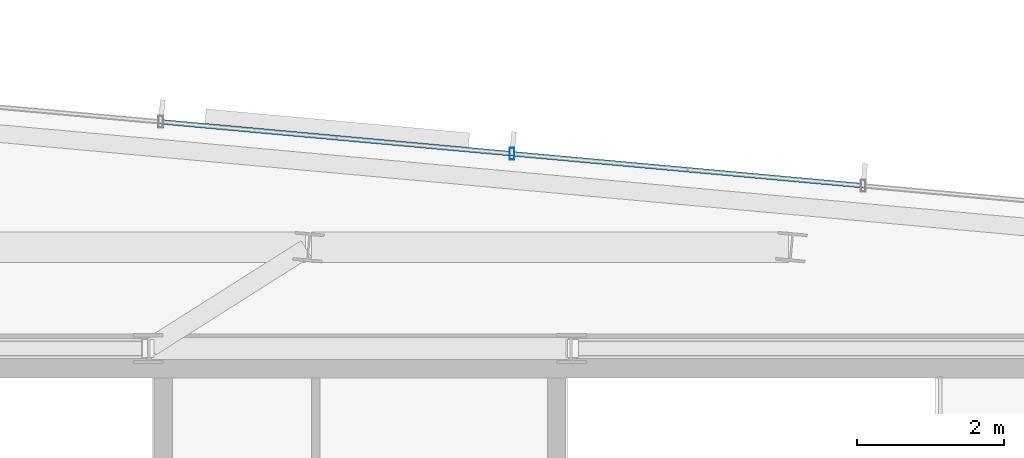
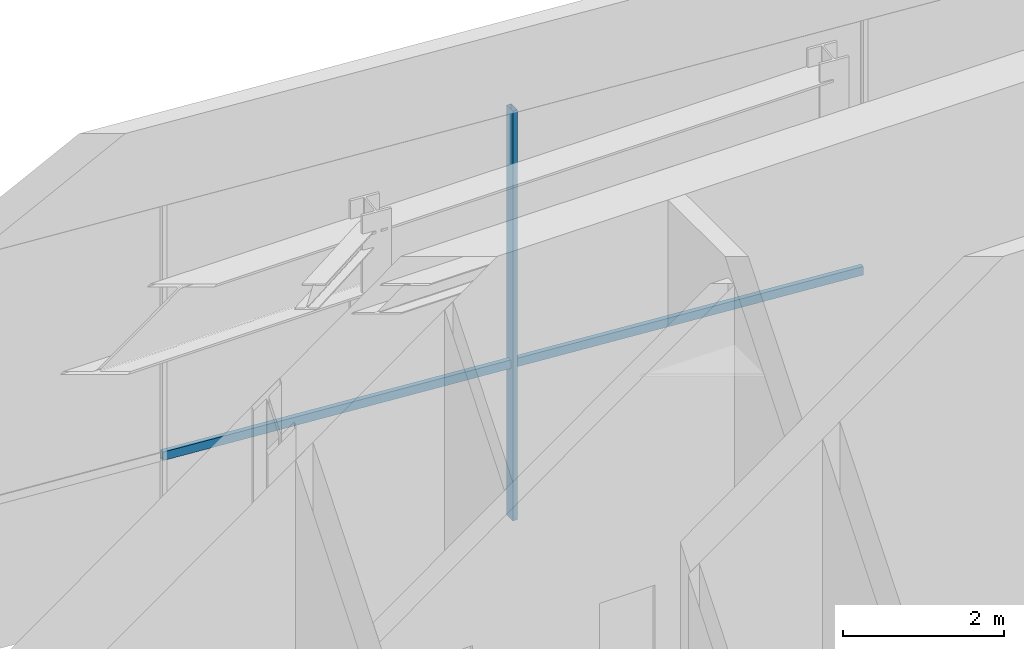
# One storey, part 11 of 18: 3 members, 1 element without a shape of its own.
"""IFC4 building model written with IfcOpenShell, lengths in metres."""

from ifc_helpers import new_model, si_unit, direction, frame, origin, origin_2d, place, context, subcontext, project, spatial, hollow_rectangle, extrude, source, transform, mapped, material, material_profile, profile_set, type_object, type_shapes, element, aggregate, save


model = new_model("IFC4")

# Units and contexts
model_context = context("Model", 3, precision=1e-05, world=origin(), true_north=direction((0.0, 1.0)))
body_context = subcontext(model_context, "Body", "Model", "MODEL_VIEW")
ifc_project = project(units=[si_unit("LENGTHUNIT", "METRE"), si_unit("AREAUNIT", "SQUARE_METRE"), si_unit("VOLUMEUNIT", "CUBIC_METRE"), si_unit("PLANEANGLEUNIT", "RADIAN"), si_unit("MASSUNIT", "GRAM", prefix="KILO")], contexts=[model_context])

# Site, building, storey
site_placement = place(None, origin())
site = spatial("IfcSite", under=ifc_project, at=site_placement, CompositionType="ELEMENT")
building_placement = place(site_placement, origin())
building = spatial("IfcBuilding", under=site, at=building_placement, Name="Astriad Promenade Condominiums", CompositionType="ELEMENT")
storey_placement = place(building_placement, frame((0.0, 0.0, 290.300048828125)))
storey = spatial("IfcBuildingStorey", under=building, at=storey_placement, Name="L80", CompositionType="ELEMENT", Elevation=290.300048828125)

# Curtain wall, members
ifc_material_1 = material(Name="Anodised aluminium Black Dark Glass Unitised", Category="aluminium")
curtain_wall_type = type_object("IfcCurtainWallType", Name="CW-TMD-LANTERN", PredefinedType="USERDEFINED", material=ifc_material_1)
curtain_wall_placement = place(storey_placement, origin())
curtain_wall = element("IfcCurtainWall", 1, at=curtain_wall_placement, inside=storey, type_object=curtain_wall_type, Name="CW-CRN-L80-08", ObjectType="UNITISED_CURTAIN_WALL", PredefinedType="USERDEFINED")
ifc_material_2 = material(Name="Anodised aluminium 6063-T6 Black", Category="aluminium")
ifc_material_profile_1 = material_profile(ifc_material_2, hollow_rectangle(XDim=0.06494140625, YDim=0.159912109375, WallThickness=0.00390625, at=origin_2d()), Name="ALU-MUL-65X160")
ifc_profile_set_1 = profile_set([ifc_material_profile_1], Name="Anodised aluminium 6063-T6 Black")
member_type_1 = type_object("IfcMemberType", Name="MUL-ALU-MUL-65X160", PredefinedType="MULLION", material=ifc_profile_set_1)
shared_shape_1 = source(origin(), body_context, "Body", "SweptSolid", [
    extrude(hollow_rectangle(XDim=0.06494140625, YDim=0.159912109375, WallThickness=0.00390625, at=origin_2d()), origin(), (0.0, 0.0, 1.0), 6.219970703125),
])
type_shapes(member_type_1, [shared_shape_1])
member_1_placement = place(storey_placement, frame((38.06982421875, 26.651611328125, 0.0), z_axis=(0.0, 0.0, 1.0), x_axis=(1.0, 0.0, 0.0)))
member_1 = element("IfcMember", 2, at=member_1_placement, type_object=member_type_1, Name="CW-CRN-L80-08-MUL-04", PredefinedType="MULLION", context=body_context, shape_type="MappedRepresentation", body=[
    mapped(shared_shape_1, transform((0.0, 0.0, 0.0), scale=1.0)),
])
ifc_material_profile_2 = material_profile(ifc_material_2, hollow_rectangle(XDim=0.06494140625, YDim=0.1298828125, WallThickness=0.00390625, at=origin_2d()), Name="ALU-TRN-65X130")
ifc_profile_set_2 = profile_set([ifc_material_profile_2], Name="Anodised aluminium 6063-T6 Black")
member_type_2 = type_object("IfcMemberType", Name="TRN-ALU-TRN-65X130", PredefinedType="USERDEFINED", material=ifc_profile_set_2)
shared_shape_2 = source(origin(), body_context, "Body", "SweptSolid", [
    extrude(hollow_rectangle(XDim=0.06494140625, YDim=0.1298828125, WallThickness=0.00390625, at=origin_2d()), origin(), (0.0, 0.0, 1.0), 4.800048828125),
])
type_shapes(member_type_2, [shared_shape_2])
member_2_placement = place(storey_placement, frame((33.28955078125, 27.086669921875, 2.349853515625), z_axis=(0.995884029465, -0.09063663639, 0.0), x_axis=(0.09063663639, 0.995884029465, 0.0)))
member_2 = element("IfcMember", 3, at=member_2_placement, type_object=member_type_2, Name="CW-CRN-L80-08-TRN-03-0", ObjectType="TRANSOM", PredefinedType="USERDEFINED", context=body_context, shape_type="MappedRepresentation", body=[
    mapped(shared_shape_2, transform((0.0, 0.0, 0.0), scale=1.0)),
])
member_3_placement = place(storey_placement, frame((38.06982421875, 26.651611328125, 2.349853515625), z_axis=(0.995884029465, -0.09063663639, 0.0), x_axis=(0.09063663639, 0.995884029465, 0.0)))
member_3 = element("IfcMember", 4, at=member_3_placement, type_object=member_type_2, Name="CW-CRN-L80-08-TRN-04-0", ObjectType="TRANSOM", PredefinedType="USERDEFINED", context=body_context, shape_type="MappedRepresentation", body=[
    mapped(shared_shape_2, transform((0.0, 0.0, 0.0), scale=1.0)),
])
aggregate(curtain_wall, [member_1, member_2, member_3])

save(model, "model.ifc")
